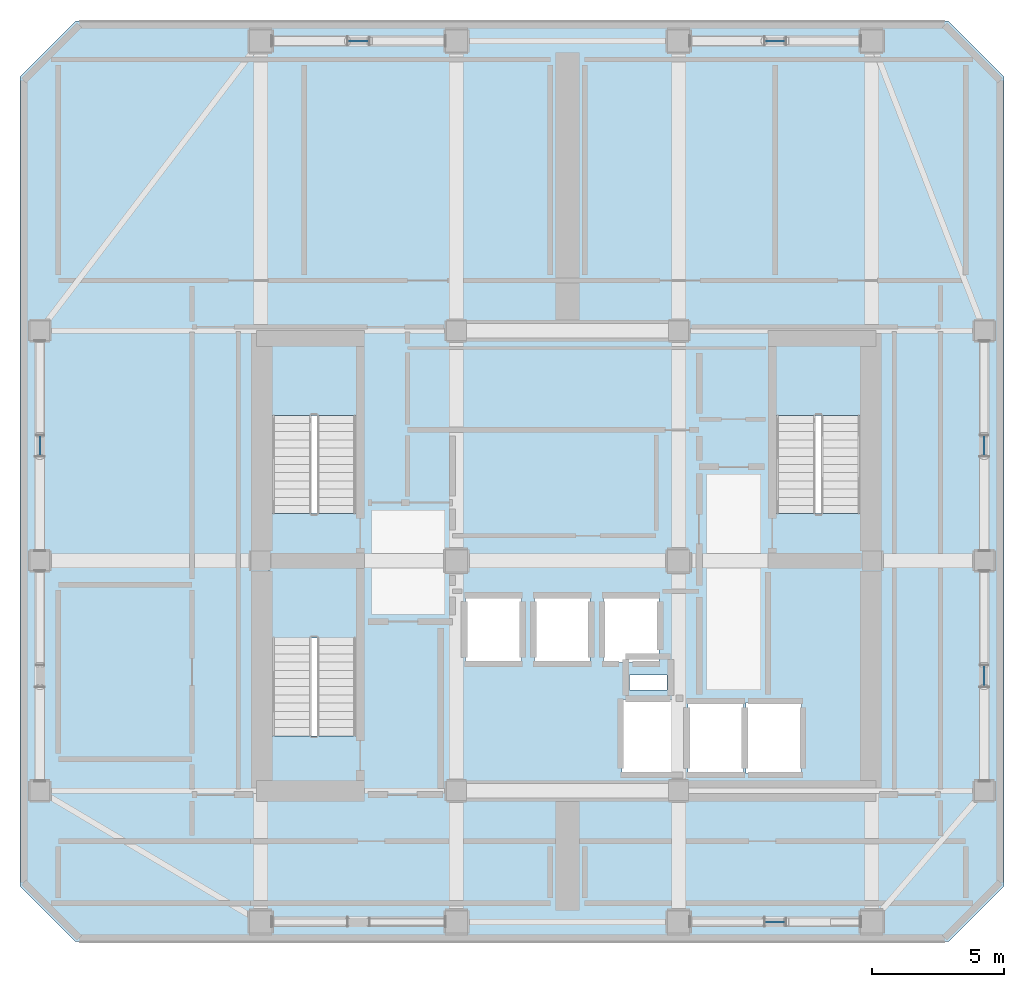
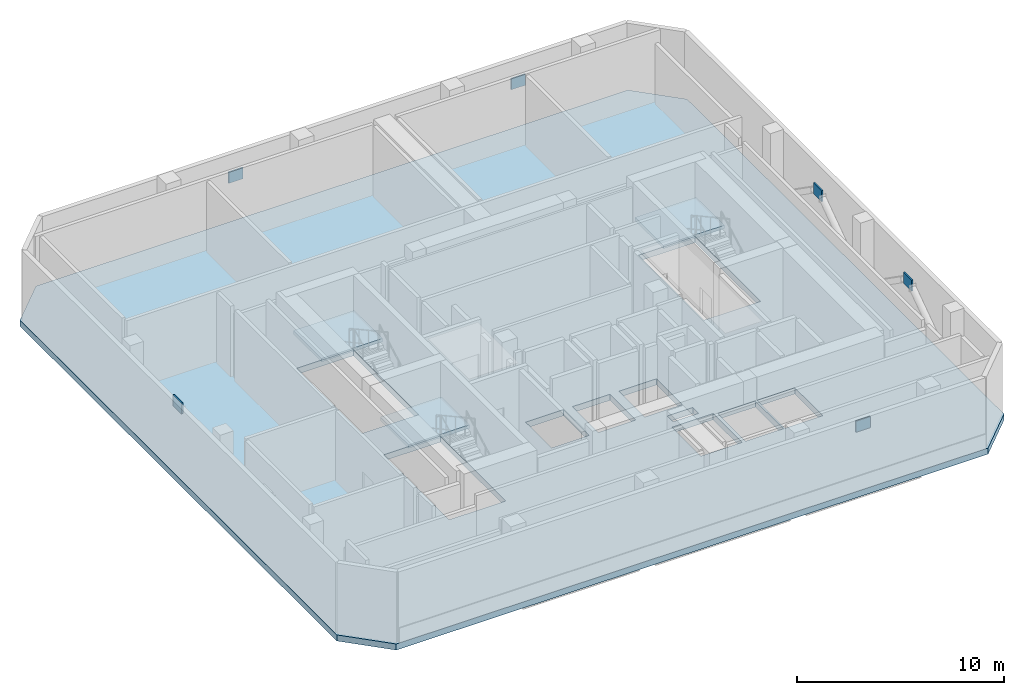
# One storey, part 2 of 13: 6 plates, 4 slabs, 3 elements without a shape of their own.
"""IFC4 building model written with IfcOpenShell, lengths in metres."""

import ifcopenshell
import ifcopenshell.guid

model = None  # the IFC model being written
_history = None  # IfcOwnerHistory: only IFC2X3 demands one
_inside = {}  # id of a spatial element -> (the spatial element, [elements in it])
_under = {}  # id of a project, library or spatial element -> (it, [spatial elements below it])
_declared = {}  # id of a project -> (the project, [libraries it declares])
_typed = {}  # id of a type object -> (the type object, [elements of that type])
_made_of = {}  # id of a material, layer set ... -> (it, [elements and type objects made of it])


def new_model(schema):
    """Start an empty IFC model of exactly this schema.

    Asked for "IFC4X3", IfcOpenShell would pick the latest addendum, in which some entities
    have other attributes; the version numbers below select the first issue.
    IFC2X3 requires an IfcOwnerHistory on every rooted entity: one is made here for all.
    """
    global model, _history
    if schema == "IFC4X3":
        model = ifcopenshell.file(schema_version=(4, 3, 0, 0))
    else:
        model = ifcopenshell.file(schema=schema)
    _inside.clear()
    _under.clear()
    _declared.clear()
    _typed.clear()
    _made_of.clear()
    _history = None
    if model.schema == "IFC2X3":
        org = make("IfcOrganization", Name="unknown")
        user = make(
            "IfcPersonAndOrganization",
            ThePerson=make("IfcPerson", FamilyName="unknown"),
            TheOrganization=org,
        )
        app = make(
            "IfcApplication",
            ApplicationDeveloper=org,
            Version="unknown",
            ApplicationFullName="unknown",
            ApplicationIdentifier="unknown",
        )
        _history = make(
            "IfcOwnerHistory",
            OwningUser=user,
            OwningApplication=app,
            ChangeAction="ADDED",
            CreationDate=0,
        )
    return model


def make(cls, **values):
    """One entity of the class cls with the attributes given. An attribute that is None is left unset."""
    return model.create_entity(
        cls, **{name: value for name, value in values.items() if value is not None}
    )


def rooted(cls, **values):
    """An entity with a GlobalId (a new one), such as an element, a storey or a relation."""
    return make(cls, GlobalId=ifcopenshell.guid.new(), OwnerHistory=_history, **values)


def si_unit(unit_type, name, prefix=None):
    """IfcSIUnit, for example si_unit("LENGTHUNIT", "METRE", prefix="MILLI")."""
    return make("IfcSIUnit", UnitType=unit_type, Prefix=prefix, Name=name)


def assignment(units):
    """IfcUnitAssignment: the units of a project."""
    return None if units is None else make("IfcUnitAssignment", Units=units)


def point(xyz):
    """IfcCartesianPoint."""
    return None if xyz is None else make("IfcCartesianPoint", Coordinates=xyz)


def direction(xyz):
    """IfcDirection."""
    return None if xyz is None else make("IfcDirection", DirectionRatios=xyz)


def frame(location, z_axis=None, x_axis=None):
    """IfcAxis2Placement3D, a coordinate frame: its origin and axes. An axis left out is left unset."""
    return make(
        "IfcAxis2Placement3D",
        Location=point(location),
        Axis=direction(z_axis),
        RefDirection=direction(x_axis),
    )


def frame_2d(location, x_axis=None):
    """IfcAxis2Placement2D, a coordinate frame in the plane: its origin and x axis."""
    return make(
        "IfcAxis2Placement2D", Location=point(location), RefDirection=direction(x_axis)
    )


def origin():
    """The frame at (0, 0, 0) with its axes left unset."""
    return frame((0.0, 0.0, 0.0))


def origin_2d():
    """The frame at (0, 0) in the plane with its x axis left unset."""
    return frame_2d((0.0, 0.0))


def place(relative_to, where):
    """IfcLocalPlacement: puts the frame where relative to a parent placement (None: the world)."""
    return make(
        "IfcLocalPlacement", PlacementRelTo=relative_to, RelativePlacement=where
    )


def context(
    kind, dimensions, precision=None, world=None, true_north=None, identifier=None
):
    """IfcGeometricRepresentationContext, for example the 3D "Model" context."""
    return make(
        "IfcGeometricRepresentationContext",
        ContextIdentifier=identifier,
        ContextType=kind,
        CoordinateSpaceDimension=dimensions,
        Precision=precision,
        WorldCoordinateSystem=world,
        TrueNorth=true_north,
    )


def subcontext(parent, identifier, kind, view, scale=None):
    """IfcGeometricRepresentationSubContext, for example "Body" below "Model"."""
    return make(
        "IfcGeometricRepresentationSubContext",
        ContextIdentifier=identifier,
        ContextType=kind,
        ParentContext=parent,
        TargetScale=scale,
        TargetView=view,
    )


def project(units=None, contexts=None):
    """IfcProject with its units and contexts."""
    return rooted(
        "IfcProject",
        Name="project",
        RepresentationContexts=contexts,
        UnitsInContext=assignment(units),
    )


def spatial(cls, under=None, at=None, **own):
    """A site, building, storey or space (cls), placed at a placement, below another one or the project."""
    s = rooted(cls, ObjectPlacement=at, **own)
    if under is not None:
        _under.setdefault(under.id(), (under, []))[1].append(s)
    return s


def polyline(points):
    """IfcPolyline through the points."""
    return make("IfcPolyline", Points=[point(p) for p in points])


def profile(cls, at=None, kind="AREA", **sizes):
    """A parametric profile (cls). Its sizes go by their IFC names, for example OverallWidth=200.0."""
    return make(cls, ProfileType=kind, Position=at, **sizes)


def rectangle(**sizes):
    """IfcRectangleProfileDef."""
    return profile("IfcRectangleProfileDef", **sizes)


def outline(outer, holes=None, kind="AREA"):
    """IfcArbitraryClosedProfileDef: a profile drawn as a closed curve; with holes, ...WithVoids."""
    if holes is None:
        return make("IfcArbitraryClosedProfileDef", ProfileType=kind, OuterCurve=outer)
    return make(
        "IfcArbitraryProfileDefWithVoids",
        ProfileType=kind,
        OuterCurve=outer,
        InnerCurves=holes,
    )


def extrude(swept, where, along, depth):
    """IfcExtrudedAreaSolid: the profile swept, set in the frame where, extruded along a direction by depth."""
    return make(
        "IfcExtrudedAreaSolid",
        SweptArea=swept,
        Position=where,
        ExtrudedDirection=direction(along),
        Depth=depth,
    )


def shape(context_of_items, identifier, shape_type, items):
    """IfcShapeRepresentation: the items that make up one representation, for example the "Body"."""
    return make(
        "IfcShapeRepresentation",
        ContextOfItems=context_of_items,
        RepresentationIdentifier=identifier,
        RepresentationType=shape_type,
        Items=items,
    )


def material(Name=None, Category=None):
    """IfcMaterial."""
    return make("IfcMaterial", Name=Name, Category=Category)


def layer(
    of_material, thickness, ventilated=None, Name=None, Category=None, Priority=None
):
    """IfcMaterialLayer: one layer of a wall or slab, of a material (None: an air gap)."""
    return make(
        "IfcMaterialLayer",
        Material=of_material,
        LayerThickness=thickness,
        IsVentilated=ventilated,
        Name=Name,
        Category=Category,
        Priority=Priority,
    )


def layer_set(layers, Name=None):
    """IfcMaterialLayerSet."""
    return make("IfcMaterialLayerSet", MaterialLayers=layers, LayerSetName=Name)


def made_of(thing, what):
    """Note that an element or type object is made of a material, layer set ...; save() writes the relation."""
    if what is not None:
        _made_of.setdefault(what.id(), (what, []))[1].append(thing)
    return thing


def type_object(cls, material=None, **own):
    """A type object (cls), such as IfcWallType, which elements share."""
    return made_of(rooted(cls, **own), material)


def element(
    cls,
    number,
    at=None,
    inside=None,
    cuts=None,
    type_object=None,
    material=None,
    context=None,
    identifier="Body",
    shape_type=None,
    held_by="IfcProductDefinitionShape",
    body=None,
    shapes=None,
    **own,
):
    """One element of the class cls, such as IfcWall. Its Tag is "e" and its number.

    at: its placement. inside: the storey or other place that contains it. cuts: it is an
    opening in that element (IfcRelVoidsElement). A single representation is given by context,
    identifier, shape_type and body (its items); several are given by shapes. held_by: the class
    of the entity that holds the representations. save() writes the other relations.
    """
    e = rooted(cls, Tag="e%d" % number, ObjectPlacement=at, **own)
    if body is not None:
        shapes = [shape(context, identifier, shape_type, body)]
    if shapes is not None:
        e.Representation = make(held_by, Representations=shapes)
    if inside is not None:
        _inside.setdefault(inside.id(), (inside, []))[1].append(e)
    if cuts is not None:
        rooted(
            "IfcRelVoidsElement", RelatingBuildingElement=cuts, RelatedOpeningElement=e
        )
    if type_object is not None:
        _typed.setdefault(type_object.id(), (type_object, []))[1].append(e)
    return made_of(e, material)


def aggregate(whole, parts):
    """IfcRelAggregates: a whole, such as a stair, and the parts it consists of."""
    return rooted("IfcRelAggregates", RelatingObject=whole, RelatedObjects=parts)


def save(model, path):
    """Write the relations noted so far, then the file.

    IfcRelAggregates (storeys below a building ...), IfcRelContainedInSpatialStructure (elements
    in a storey), IfcRelDefinesByType, IfcRelAssociatesMaterial and IfcRelDeclares: one each for
    every whole, place, type object, material and project.
    """
    for whole, parts in _under.values():
        aggregate(whole, parts)
    for where, things in _inside.values():
        rooted(
            "IfcRelContainedInSpatialStructure",
            RelatedElements=things,
            RelatingStructure=where,
        )
    for kind, things in _typed.values():
        rooted("IfcRelDefinesByType", RelatedObjects=things, RelatingType=kind)
    for what, things in _made_of.values():
        rooted("IfcRelAssociatesMaterial", RelatedObjects=things, RelatingMaterial=what)
    for by, libraries in _declared.values():
        rooted("IfcRelDeclares", RelatingContext=by, RelatedDefinitions=libraries)
    model.write(path)


model = new_model("IFC4")

# Units and contexts
model_context = context("Model", 3, precision=1e-05, world=origin(), true_north=direction((0.0, 1.0)))
body_context = subcontext(model_context, "Body", "Model", "MODEL_VIEW")
ifc_project = project(units=[si_unit("LENGTHUNIT", "METRE"), si_unit("AREAUNIT", "SQUARE_METRE"), si_unit("VOLUMEUNIT", "CUBIC_METRE"), si_unit("PLANEANGLEUNIT", "RADIAN"), si_unit("MASSUNIT", "GRAM", prefix="KILO")], contexts=[model_context])

# Site, building, storey
site_placement = place(None, origin())
site = spatial("IfcSite", under=ifc_project, at=site_placement, CompositionType="ELEMENT")
building_placement = place(site_placement, origin())
building = spatial("IfcBuilding", under=site, at=building_placement, Name="Solanera Arch Residences", CompositionType="ELEMENT")
storey_placement = place(building_placement, frame((0.0, 0.0, 257.840087890625)))
storey = spatial("IfcBuildingStorey", under=building, at=storey_placement, Name="L75", CompositionType="ELEMENT", Elevation=257.840087890625)

# Plates
ifc_material_1 = material(Name="Steel S355 (ASTM A992 / A572 Grade 50)", Category="steel")
ifc_layer_1 = layer(ifc_material_1, 0.080078125)
ifc_layer_set_1 = layer_set([ifc_layer_1], Name="Steel S355 (ASTM A992 / A572 Grade 50)")
plate_type = type_object("IfcPlateType", Name="Gusset Plate GP-80B", PredefinedType="USERDEFINED", material=ifc_layer_set_1)
for number, where, z_axis, x_axis, name in (
    (1, (32.85009765625, 17.050048828125, 2.921875), (0.0, 0.0, 1.0), (1.0, 0.0, 0.0), "L75 Belt Truss Apex Gusset GP-80 2"),
    (2, (17.10009765625, 50.35009765625, 2.921875), (0.0, 0.0, 1.0), (1.0, 0.0, 0.0), "L75 Belt Truss Apex Gusset GP-80 3"),
    (3, (32.85009765625, 50.35009765625, 2.921875), (0.0, 0.0, 1.0), (1.0, 0.0, 0.0), "L75 Belt Truss Apex Gusset GP-80 4"),
):
    element("IfcPlate", number, at=place(storey_placement, frame(where, z_axis=z_axis, x_axis=x_axis)), inside=storey, type_object=plate_type, Name=name, ObjectType="GUSSET", PredefinedType="USERDEFINED", context=body_context, shape_type="SweptSolid", body=[
        extrude(rectangle(XDim=0.800048828125, YDim=0.080078125, at=origin_2d()), origin(), (0.0, 0.0, 1.0), 0.64990234375),
    ])
for number, where, z_axis, x_axis, name in (
    (4, (5.050048828125, 35.050048828125, 2.921875), (0.0, 0.0, 1.0), (1.0, 0.0, 0.0), "L75 Belt Truss Apex Gusset GP-80 6"),
    (5, (40.75, 26.35009765625, 2.921875), (0.0, 0.0, 1.0), (1.0, 0.0, 0.0), "L75 Belt Truss Apex Gusset GP-80 7"),
    (6, (40.75, 35.050048828125, 2.921875), (0.0, 0.0, 1.0), (1.0, 0.0, 0.0), "L75 Belt Truss Apex Gusset GP-80 8"),
):
    element("IfcPlate", number, at=place(storey_placement, frame(where, z_axis=z_axis, x_axis=x_axis)), inside=storey, type_object=plate_type, Name=name, ObjectType="GUSSET", PredefinedType="USERDEFINED", context=body_context, shape_type="SweptSolid", body=[
        extrude(rectangle(XDim=0.080078125, YDim=0.800048828125, at=origin_2d()), origin(), (0.0, 0.0, 1.0), 0.64990234375),
    ])

# Stair, slab
ifc_material_2 = material(Name="Concrete C40/50 (f'c = 45 MPa)", Category="concrete")
stair_type = type_object("IfcStairType", Name="Tower Dogleg Exit Stair 1480", PredefinedType="HALF_TURN_STAIR", material=ifc_material_2)
stair_1_placement = place(storey_placement, origin())
stair_1 = element("IfcStair", 7, at=stair_1_placement, inside=storey, type_object=stair_type, Name="L75 Tower Core Exit Stair 1", PredefinedType="HALF_TURN_STAIR")
ifc_material_3 = material(Name="Concrete C40/50 (f'c = 45 MPa)", Category="concrete")
ifc_layer_2 = layer(ifc_material_3, 0.199951171875)
ifc_layer_set_2 = layer_set([ifc_layer_2], Name="Concrete C40/50 (f'c = 45 MPa)")
slab_type_1 = type_object("IfcSlabType", Name="Stair Half-Landing Slab 200", PredefinedType="LANDING", material=ifc_layer_set_2)
slab_1_placement = place(storey_placement, frame((0.0, 0.0, 2.0)))
slab_1 = element("IfcSlab", 8, at=slab_1_placement, type_object=slab_type_1, Name="ST-T1 landing 1", PredefinedType="LANDING", context=body_context, shape_type="SweptSolid", body=[
    extrude(outline(polyline([(17.1201171875, 36.18994140625), (17.1201171875, 38.919921875), (13.719970703125, 38.919921875), (13.719970703125, 36.18994140625), (17.1201171875, 36.18994140625)])), origin(), (0.0, 0.0, 1.0), 0.199951171875),
])
aggregate(stair_1, [slab_1])

stair_2_placement = place(storey_placement, origin())
stair_2 = element("IfcStair", 9, at=stair_2_placement, inside=storey, type_object=stair_type, Name="L75 Tower Core Exit Stair 2", PredefinedType="HALF_TURN_STAIR")
slab_2_placement = place(storey_placement, frame((0.0, 0.0, 2.0)))
slab_2 = element("IfcSlab", 10, at=slab_2_placement, type_object=slab_type_1, Name="ST-T2 landing 1", PredefinedType="LANDING", context=body_context, shape_type="SweptSolid", body=[
    extrude(outline(polyline([(36.179931640625, 36.18994140625), (36.179931640625, 38.919921875), (32.780029296875, 38.919921875), (32.780029296875, 36.18994140625), (36.179931640625, 36.18994140625)])), origin(), (0.0, 0.0, 1.0), 0.199951171875),
])
aggregate(stair_2, [slab_2])

stair_3_placement = place(storey_placement, origin())
stair_3 = element("IfcStair", 11, at=stair_3_placement, inside=storey, type_object=stair_type, Name="L75 Tower Core Exit Stair 3", PredefinedType="HALF_TURN_STAIR")
slab_3_placement = place(storey_placement, frame((0.0, 0.0, 2.0)))
slab_3 = element("IfcSlab", 12, at=slab_3_placement, type_object=slab_type_1, Name="ST-T3 landing 1", PredefinedType="LANDING", context=body_context, shape_type="SweptSolid", body=[
    extrude(outline(polyline([(17.1201171875, 27.7900390625), (17.1201171875, 30.52001953125), (13.719970703125, 30.52001953125), (13.719970703125, 27.7900390625), (17.1201171875, 27.7900390625)])), origin(), (0.0, 0.0, 1.0), 0.199951171875),
])
aggregate(stair_3, [slab_3])

# Slab
ifc_material_4 = material(Name="Concrete C40/50 (f'c = 45 MPa)", Category="concrete")
ifc_layer_3 = layer(ifc_material_4, 0.360107421875)
ifc_layer_set_3 = layer_set([ifc_layer_3], Name="Concrete C40/50 (f'c = 45 MPa)")
slab_type_2 = type_object("IfcSlabType", Name="Suspended Floor Slab Post-Tensioned 360", PredefinedType="FLOOR", material=ifc_layer_set_3)
slab_4_placement = place(storey_placement, frame((0.0, 0.0, -0.360107421875)))
element("IfcSlab", 13, at=slab_4_placement, inside=storey, type_object=slab_type_2, Name="L75 Tower Post-Tensioned Floor Slab", PredefinedType="FLOOR", context=body_context, shape_type="SweptSolid", body=[
    extrude(outline(polyline([(6.39990234375, 16.300048828125), (39.39990234375, 16.300048828125), (41.5, 18.39990234375), (41.5, 49.0), (39.39990234375, 51.10009765625), (6.39990234375, 51.10009765625), (4.300048828125, 49.0), (4.300048828125, 18.39990234375), (6.39990234375, 16.300048828125)]), holes=[polyline([(13.840087890625, 32.48291015625), (13.840087890625, 38.800048828125), (17.0, 38.800048828125), (17.0, 32.48291015625), (13.840087890625, 32.48291015625)]), polyline([(32.89990234375, 32.48291015625), (32.89990234375, 38.800048828125), (36.06005859375, 38.800048828125), (36.06005859375, 32.48291015625), (32.89990234375, 32.48291015625)]), polyline([(13.840087890625, 24.0830078125), (13.840087890625, 30.39990234375), (17.0, 30.39990234375), (17.0, 24.0830078125), (13.840087890625, 24.0830078125)]), polyline([(21.14990234375, 29.35009765625), (23.25, 29.35009765625), (23.25, 26.85009765625), (21.14990234375, 26.85009765625), (21.14990234375, 29.35009765625)]), polyline([(23.75, 29.35009765625), (25.85009765625, 29.35009765625), (25.85009765625, 26.85009765625), (23.75, 26.85009765625), (23.75, 29.35009765625)]), polyline([(26.35009765625, 29.35009765625), (28.449951171875, 29.35009765625), (28.449951171875, 26.85009765625), (26.35009765625, 26.85009765625), (26.35009765625, 29.35009765625)]), polyline([(29.550048828125, 25.35009765625), (31.64990234375, 25.35009765625), (31.64990234375, 22.64990234375), (29.550048828125, 22.64990234375), (29.550048828125, 25.35009765625)]), polyline([(31.75, 25.35009765625), (33.85009765625, 25.35009765625), (33.85009765625, 22.64990234375), (31.75, 22.64990234375), (31.75, 25.35009765625)]), polyline([(27.050048828125, 25.449951171875), (29.35009765625, 25.449951171875), (29.35009765625, 22.64990234375), (27.050048828125, 22.64990234375), (27.050048828125, 25.449951171875)]), polyline([(27.340087890625, 26.3798828125), (28.760009765625, 26.3798828125), (28.760009765625, 25.820068359375), (27.340087890625, 25.820068359375), (27.340087890625, 26.3798828125)])]), origin(), (0.0, 0.0, 1.0), 0.360107421875),
])

save(model, "model.ifc")
